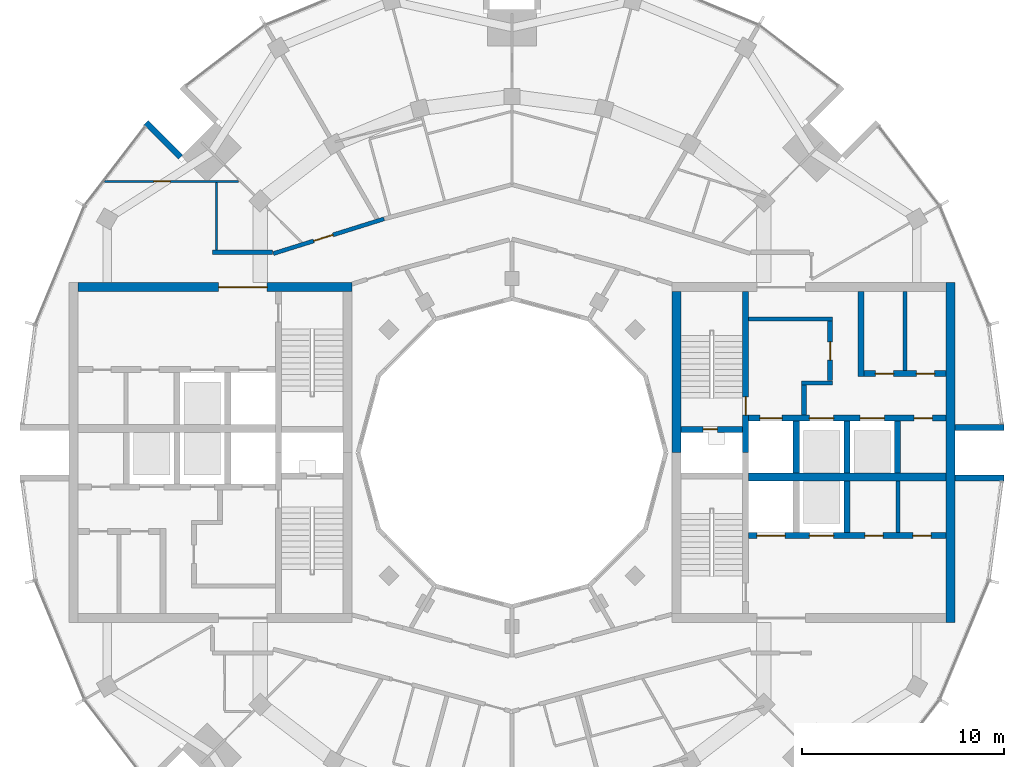
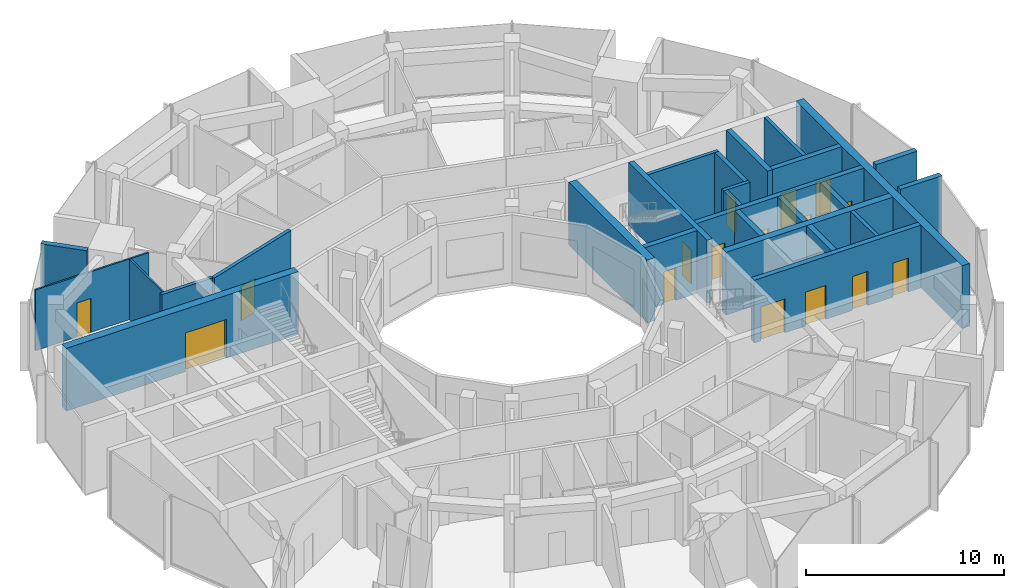
# One storey, part 11 of 15: 27 walls, 16 doors, 16 openings.
"""IFC4 building model written with IfcOpenShell, lengths in metres."""

from ifc_helpers import new_model, si_unit, direction, frame, frame_2d, origin, place, context, subcontext, project, spatial, rectangle, extrude, material, layer, layer_set, type_object, element, fill, save


model = new_model("IFC4")

# Units and contexts
model_context = context("Model", 3, precision=1e-05, world=origin(), true_north=direction((0.0, 1.0)))
body_context = subcontext(model_context, "Body", "Model", "MODEL_VIEW")
ifc_project = project(units=[si_unit("LENGTHUNIT", "METRE"), si_unit("AREAUNIT", "SQUARE_METRE"), si_unit("VOLUMEUNIT", "CUBIC_METRE"), si_unit("PLANEANGLEUNIT", "RADIAN"), si_unit("MASSUNIT", "GRAM", prefix="KILO")], contexts=[model_context])

# Site, building, storey
site_placement = place(None, origin())
site = spatial("IfcSite", under=ifc_project, at=site_placement, CompositionType="ELEMENT")
building_placement = place(site_placement, origin())
building = spatial("IfcBuilding", under=site, at=building_placement, Name="Torre Brocal", CompositionType="ELEMENT")
storey_placement = place(building_placement, frame((0.0, 0.0, 279.89990234375)))
storey = spatial("IfcBuildingStorey", under=building, at=storey_placement, Name="L64", CompositionType="ELEMENT", Elevation=279.89990234375)

# Walls
ifc_material_1 = material(Name="Masonry block", Category="masonry")
ifc_layer_1 = layer(ifc_material_1, 0.199951171875)
ifc_layer_set_1 = layer_set([ifc_layer_1], Name="Masonry block")
wall_type_1 = type_object("IfcWallType", Name="CORE PARTITION 200", PredefinedType="PARTITIONING", material=ifc_layer_set_1)
wall_1_placement = place(storey_placement, frame((99.074951171875, 71.050048828125, 0.0), z_axis=(0.0, 0.0, 1.0), x_axis=(0.0, 1.0, 0.0)))
element("IfcWall", 1, at=wall_1_placement, inside=storey, type_object=wall_type_1, Name="Wall CP200", PredefinedType="PARTITIONING", context=body_context, shape_type="SweptSolid", body=[
    extrude(rectangle(XDim=2.550048828125, YDim=0.199951171875, at=frame_2d((1.27490234375, 0.0))), origin(), (0.0, 0.0, 1.0), 3.880126953125),
])
wall_2_placement = place(storey_placement, frame((99.425048828125, 79.050048828125, 0.0), z_axis=(0.0, 0.0, 1.0), x_axis=(0.0, 1.0, 0.0)))
element("IfcWall", 2, at=wall_2_placement, inside=storey, type_object=wall_type_1, Name="Wall CP200", PredefinedType="PARTITIONING", context=body_context, shape_type="SweptSolid", body=[
    extrude(rectangle(XDim=3.89990234375, YDim=0.199951171875, at=frame_2d((1.949951171875, 0.0))), origin(), (0.0, 0.0, 1.0), 3.880126953125),
])
ifc_material_2 = material(Name="Concrete C50", Category="concrete")
ifc_layer_2 = layer(ifc_material_2, 0.199951171875)
ifc_layer_set_2 = layer_set([ifc_layer_2], Name="Concrete C50")
wall_type_2 = type_object("IfcWallType", Name="CORE WALL 200 C50", PredefinedType="SHEAR", material=ifc_layer_set_2)
wall_3_placement = place(storey_placement, frame((91.699951171875, 81.60009765625, 0.0), z_axis=(0.0, 0.0, 1.0), x_axis=(1.0, 0.0, 0.0)))
element("IfcWall", 3, at=wall_3_placement, inside=storey, type_object=wall_type_2, Name="Wall CW200-50", PredefinedType="SHEAR", context=body_context, shape_type="SweptSolid", body=[
    extrude(rectangle(XDim=4.150146484375, YDim=0.199951171875, at=frame_2d((2.0751953125, 0.0))), origin(), (0.0, 0.0, 1.0), 3.880126953125),
])
wall_4_placement = place(storey_placement, frame((94.300048828125, 78.449951171875, 0.0), z_axis=(0.0, 0.0, 1.0), x_axis=(1.0, 0.0, 0.0)))
element("IfcWall", 4, at=wall_4_placement, inside=storey, type_object=wall_type_2, Name="Wall CW200-50", PredefinedType="SHEAR", context=body_context, shape_type="SweptSolid", body=[
    extrude(rectangle(XDim=1.550048828125, YDim=0.199951171875, at=frame_2d((0.77490234375, 0.0))), origin(), (0.0, 0.0, 1.0), 3.880126953125),
])

# Wall, opening, door
ifc_material_3 = material(Name="Concrete C50", Category="concrete")
ifc_layer_3 = layer(ifc_material_3, 0.25)
ifc_layer_set_3 = layer_set([ifc_layer_3], Name="Concrete C50")
wall_type_3 = type_object("IfcWallType", Name="CORE WALL 250 C50", PredefinedType="SHEAR", material=ifc_layer_set_3)
wall_5_placement = place(storey_placement, frame((95.72509765625, 78.550048828125, 0.0), z_axis=(0.0, 0.0, 1.0), x_axis=(0.0, 1.0, 0.0)))
wall_5 = element("IfcWall", 5, at=wall_5_placement, inside=storey, type_object=wall_type_3, Name="Wall CW250-50", PredefinedType="SHEAR", context=body_context, shape_type="SweptSolid", body=[
    extrude(rectangle(XDim=2.949951171875, YDim=0.25, at=frame_2d((1.47509765625, 0.0))), origin(), (0.0, 0.0, 1.0), 3.880126953125),
])
opening_1_placement = place(wall_5_placement, frame((1.02490234375, 0.0, 0.0)))
opening_1 = element("IfcOpeningElement", 6, at=opening_1_placement, cuts=wall_5, Name="Opening E-D26", PredefinedType="OPENING", context=body_context, shape_type="SweptSolid", body=[
    extrude(rectangle(XDim=0.89990234375, YDim=2.10009765625, at=frame_2d((0.449951171875, 1.050048828125))), frame((0.0, 0.135009765625, 0.0), z_axis=(0.0, -1.0, 0.0), x_axis=(1.0, 0.0, 0.0)), (0.0, 0.0, 1.0), 0.27001953125),
])
ifc_material_4 = material(Name="Steel A653", Category="steel")
door_type_1 = type_object("IfcDoorType", Name="LOBBY DOOR FD120 900X2100", OperationType="SINGLE_SWING_RIGHT", PredefinedType="DOOR", material=ifc_material_4)
door_1_placement = place(opening_1_placement, origin())
door_1 = element("IfcDoor", 7, at=door_1_placement, inside=storey, type_object=door_type_1, Name="Door E-D26", OperationType="SINGLE_SWING_LEFT", OverallHeight=2.10009765625, OverallWidth=0.89990234375, PredefinedType="DOOR", context=body_context, shape_type="SweptSolid", body=[
    extrude(rectangle(XDim=0.89990234375, YDim=2.10009765625, at=frame_2d((0.449951171875, 1.050048828125))), frame((0.0, 0.02490234375, 0.0), z_axis=(0.0, -1.0, 0.0), x_axis=(1.0, 0.0, 0.0)), (0.0, 0.0, 1.0), 0.050048828125),
])
fill(opening_1, door_1)

# Wall
wall_6_placement = place(storey_placement, frame((94.425048828125, 76.85009765625, 0.0), z_axis=(0.0, 0.0, 1.0), x_axis=(0.0, 1.0, 0.0)))
element("IfcWall", 8, at=wall_6_placement, inside=storey, type_object=wall_type_3, Name="Wall CW250-50", PredefinedType="SHEAR", context=body_context, shape_type="SweptSolid", body=[
    extrude(rectangle(XDim=1.5, YDim=0.25, at=frame_2d((0.75, 0.0))), origin(), (0.0, 0.0, 1.0), 3.880126953125),
])

# Wall, opening, door
ifc_material_5 = material(Name="Concrete C50", Category="concrete")
ifc_layer_4 = layer(ifc_material_5, 0.300048828125)
ifc_layer_set_4 = layer_set([ifc_layer_4], Name="Concrete C50")
wall_type_4 = type_object("IfcWallType", Name="CORE WALL 300 C50", PredefinedType="SHEAR", material=ifc_layer_set_4)
wall_7_placement = place(storey_placement, frame((91.550048828125, 75.0, 0.0), z_axis=(0.0, 0.0, 1.0), x_axis=(0.0, 1.0, 0.0)))
wall_7 = element("IfcWall", 9, at=wall_7_placement, inside=storey, type_object=wall_type_4, Name="Wall CW300-50", PredefinedType="SHEAR", context=body_context, shape_type="SweptSolid", body=[
    extrude(rectangle(XDim=7.949951171875, YDim=0.300048828125, at=frame_2d((3.97509765625, 0.0))), origin(), (0.0, 0.0, 1.0), 3.880126953125),
])
opening_2_placement = place(wall_7_placement, frame((1.85009765625, 0.0, 0.0)))
opening_2 = element("IfcOpeningElement", 10, at=opening_2_placement, cuts=wall_7, Name="Opening E-D02", PredefinedType="OPENING", context=body_context, shape_type="SweptSolid", body=[
    extrude(rectangle(XDim=0.89990234375, YDim=2.10009765625, at=frame_2d((0.449951171875, 1.050048828125))), frame((0.0, 0.159912109375, 0.0), z_axis=(0.0, -1.0, 0.0), x_axis=(1.0, 0.0, 0.0)), (0.0, 0.0, 1.0), 0.320068359375),
])
ifc_material_6 = material(Name="Steel A653", Category="steel")
door_type_2 = type_object("IfcDoorType", Name="STAIR DOOR FD120 900X2100", OperationType="SINGLE_SWING_RIGHT", PredefinedType="DOOR", material=ifc_material_6)
door_2_placement = place(opening_2_placement, origin())
door_2 = element("IfcDoor", 11, at=door_2_placement, inside=storey, type_object=door_type_2, Name="Door E-D02", OperationType="SINGLE_SWING_LEFT", OverallHeight=2.10009765625, OverallWidth=0.89990234375, PredefinedType="DOOR", context=body_context, shape_type="SweptSolid", body=[
    extrude(rectangle(XDim=0.89990234375, YDim=2.10009765625, at=frame_2d((0.449951171875, 1.050048828125))), frame((0.0, 0.02490234375, 0.0), z_axis=(0.0, -1.0, 0.0), x_axis=(1.0, 0.0, 0.0)), (0.0, 0.0, 1.0), 0.050048828125),
])
fill(opening_2, door_2)

wall_8_placement = place(storey_placement, frame((88.35009765625, 76.14990234375, 0.0), z_axis=(0.0, 0.0, 1.0), x_axis=(1.0, 0.0, 0.0)))
wall_8 = element("IfcWall", 12, at=wall_8_placement, inside=storey, type_object=wall_type_4, Name="Wall CW300-50", PredefinedType="SHEAR", context=body_context, shape_type="SweptSolid", body=[
    extrude(rectangle(XDim=3.0498046875, YDim=0.300048828125, at=frame_2d((1.52490234375, 0.0))), origin(), (0.0, 0.0, 1.0), 3.880126953125),
])
opening_3_placement = place(wall_8_placement, frame((1.10009765625, 0.0, 0.0)))
opening_3 = element("IfcOpeningElement", 13, at=opening_3_placement, cuts=wall_8, Name="Opening E-D01", PredefinedType="OPENING", context=body_context, shape_type="SweptSolid", body=[
    extrude(rectangle(XDim=0.699951171875, YDim=2.0, at=frame_2d((0.35009765625, 1.0))), frame((0.0, 0.159912109375, 0.0), z_axis=(0.0, -1.0, 0.0), x_axis=(1.0, 0.0, 0.0)), (0.0, 0.0, 1.0), 0.320068359375),
])
ifc_material_7 = material(Name="Steel A653", Category="steel")
door_type_3 = type_object("IfcDoorType", Name="RISER DOOR FD120 700X2000", OperationType="SINGLE_SWING_LEFT", PredefinedType="DOOR", material=ifc_material_7)
door_3_placement = place(opening_3_placement, frame((0.699951171875, 0.0, 0.0), z_axis=(0.0, 0.0, 1.0), x_axis=(-1.0, 0.0, 0.0)))
door_3 = element("IfcDoor", 14, at=door_3_placement, inside=storey, type_object=door_type_3, Name="Door E-D01", OperationType="SINGLE_SWING_RIGHT", OverallHeight=2.0, OverallWidth=0.699951171875, PredefinedType="DOOR", context=body_context, shape_type="SweptSolid", body=[
    extrude(rectangle(XDim=0.699951171875, YDim=2.0, at=frame_2d((0.35009765625, 1.0))), frame((0.0, 0.02490234375, 0.0), z_axis=(0.0, -1.0, 0.0), x_axis=(1.0, 0.0, 0.0)), (0.0, 0.0, 1.0), 0.050048828125),
])
fill(opening_3, door_3)

# Wall, openings, doors
wall_9_placement = place(storey_placement, frame((91.699951171875, 76.699951171875, 0.0), z_axis=(0.0, 0.0, 1.0), x_axis=(1.0, 0.0, 0.0)))
wall_9 = element("IfcWall", 15, at=wall_9_placement, inside=storey, type_object=wall_type_4, Name="Wall CW300-50", PredefinedType="SHEAR", context=body_context, shape_type="SweptSolid", body=[
    extrude(rectangle(XDim=9.75, YDim=0.300048828125, at=frame_2d((4.875, 0.0))), origin(), (0.0, 0.0, 1.0), 3.880126953125),
])
opening_4_placement = place(wall_9_placement, frame((0.550048828125, 0.0, 0.0)))
opening_4 = element("IfcOpeningElement", 16, at=opening_4_placement, cuts=wall_9, Name="Opening LD", PredefinedType="OPENING", context=body_context, shape_type="SweptSolid", body=[
    extrude(rectangle(XDim=1.10009765625, YDim=2.10009765625, at=frame_2d((0.550048828125, 1.050048828125))), frame((0.0, 0.159912109375, 0.0), z_axis=(0.0, -1.0, 0.0), x_axis=(1.0, 0.0, 0.0)), (0.0, 0.0, 1.0), 0.320068359375),
])
opening_5_placement = place(wall_9_placement, frame((3.0, 0.0, 0.0)))
opening_5 = element("IfcOpeningElement", 17, at=opening_5_placement, cuts=wall_9, Name="Opening LD12", PredefinedType="OPENING", context=body_context, shape_type="SweptSolid", body=[
    extrude(rectangle(XDim=1.199951171875, YDim=2.10009765625, at=frame_2d((0.60009765625, 1.050048828125))), frame((0.0, 0.159912109375, 0.0), z_axis=(0.0, -1.0, 0.0), x_axis=(1.0, 0.0, 0.0)), (0.0, 0.0, 1.0), 0.320068359375),
])
opening_6_placement = place(wall_9_placement, frame((5.5, 0.0, 0.0)))
opening_6 = element("IfcOpeningElement", 18, at=opening_6_placement, cuts=wall_9, Name="Opening LD12", PredefinedType="OPENING", context=body_context, shape_type="SweptSolid", body=[
    extrude(rectangle(XDim=1.199951171875, YDim=2.10009765625, at=frame_2d((0.60009765625, 1.050048828125))), frame((0.0, 0.159912109375, 0.0), z_axis=(0.0, -1.0, 0.0), x_axis=(1.0, 0.0, 0.0)), (0.0, 0.0, 1.0), 0.320068359375),
])
opening_7_placement = place(wall_9_placement, frame((8.175048828125, 0.0, 0.0)))
opening_7 = element("IfcOpeningElement", 19, at=opening_7_placement, cuts=wall_9, Name="Opening E-D04", PredefinedType="OPENING", context=body_context, shape_type="SweptSolid", body=[
    extrude(rectangle(XDim=0.89990234375, YDim=2.10009765625, at=frame_2d((0.449951171875, 1.050048828125))), frame((0.0, 0.159912109375, 0.0), z_axis=(0.0, -1.0, 0.0), x_axis=(1.0, 0.0, 0.0)), (0.0, 0.0, 1.0), 0.320068359375),
])
ifc_material_8 = material(Name="Stainless steel AISI 316", Category="steel")
door_type_4 = type_object("IfcDoorType", Name="LIFT LANDING DOOR 1100X2100", OperationType="DOUBLE_DOOR_SLIDING", PredefinedType="DOOR", material=ifc_material_8)
door_4_placement = place(opening_4_placement, origin())
door_4 = element("IfcDoor", 20, at=door_4_placement, inside=storey, type_object=door_type_4, Name="Door LD", OperationType="DOUBLE_DOOR_SLIDING", OverallHeight=2.10009765625, OverallWidth=1.10009765625, PredefinedType="DOOR", context=body_context, shape_type="SweptSolid", body=[
    extrude(rectangle(XDim=1.10009765625, YDim=2.10009765625, at=frame_2d((0.550048828125, 1.050048828125))), frame((0.0, 0.02490234375, 0.0), z_axis=(0.0, -1.0, 0.0), x_axis=(1.0, 0.0, 0.0)), (0.0, 0.0, 1.0), 0.050048828125),
])
fill(opening_4, door_4)
ifc_material_9 = material(Name="Stainless steel AISI 316", Category="steel")
door_type_5 = type_object("IfcDoorType", Name="LIFT LANDING DOOR 1200X2100", OperationType="DOUBLE_DOOR_SLIDING", PredefinedType="DOOR", material=ifc_material_9)
door_5_placement = place(opening_5_placement, origin())
door_5 = element("IfcDoor", 21, at=door_5_placement, inside=storey, type_object=door_type_5, Name="Door LD12", OperationType="DOUBLE_DOOR_SLIDING", OverallHeight=2.10009765625, OverallWidth=1.199951171875, PredefinedType="DOOR", context=body_context, shape_type="SweptSolid", body=[
    extrude(rectangle(XDim=1.199951171875, YDim=2.10009765625, at=frame_2d((0.60009765625, 1.050048828125))), frame((0.0, 0.02490234375, 0.0), z_axis=(0.0, -1.0, 0.0), x_axis=(1.0, 0.0, 0.0)), (0.0, 0.0, 1.0), 0.050048828125),
])
fill(opening_5, door_5)
door_6_placement = place(opening_6_placement, origin())
door_6 = element("IfcDoor", 22, at=door_6_placement, inside=storey, type_object=door_type_5, Name="Door LD12", OperationType="DOUBLE_DOOR_SLIDING", OverallHeight=2.10009765625, OverallWidth=1.199951171875, PredefinedType="DOOR", context=body_context, shape_type="SweptSolid", body=[
    extrude(rectangle(XDim=1.199951171875, YDim=2.10009765625, at=frame_2d((0.60009765625, 1.050048828125))), frame((0.0, 0.02490234375, 0.0), z_axis=(0.0, -1.0, 0.0), x_axis=(1.0, 0.0, 0.0)), (0.0, 0.0, 1.0), 0.050048828125),
])
fill(opening_6, door_6)
ifc_material_10 = material(Name="Steel A653", Category="steel")
door_type_6 = type_object("IfcDoorType", Name="ROOM DOOR FD30S 900X2100", OperationType="SINGLE_SWING_LEFT", PredefinedType="DOOR", material=ifc_material_10)
door_7_placement = place(opening_7_placement, frame((0.89990234375, 0.0, 0.0), z_axis=(0.0, 0.0, 1.0), x_axis=(-1.0, 0.0, 0.0)))
door_7 = element("IfcDoor", 23, at=door_7_placement, inside=storey, type_object=door_type_6, Name="Door E-D04", OperationType="SINGLE_SWING_LEFT", OverallHeight=2.10009765625, OverallWidth=0.89990234375, PredefinedType="DOOR", context=body_context, shape_type="SweptSolid", body=[
    extrude(rectangle(XDim=0.89990234375, YDim=2.10009765625, at=frame_2d((0.449951171875, 1.050048828125))), frame((0.0, 0.02490234375, 0.0), z_axis=(0.0, -1.0, 0.0), x_axis=(1.0, 0.0, 0.0)), (0.0, 0.0, 1.0), 0.050048828125),
])
fill(opening_7, door_7)

wall_10_placement = place(storey_placement, frame((91.699951171875, 70.89990234375, 0.0), z_axis=(0.0, 0.0, 1.0), x_axis=(1.0, 0.0, 0.0)))
wall_10 = element("IfcWall", 24, at=wall_10_placement, inside=storey, type_object=wall_type_4, Name="Wall CW300-50", PredefinedType="SHEAR", context=body_context, shape_type="SweptSolid", body=[
    extrude(rectangle(XDim=9.75, YDim=0.300048828125, at=frame_2d((4.875, 0.0))), origin(), (0.0, 0.0, 1.0), 3.880126953125),
])
opening_8_placement = place(wall_10_placement, frame((0.39990234375, 0.0, 0.0)))
opening_8 = element("IfcOpeningElement", 25, at=opening_8_placement, cuts=wall_10, Name="Opening LD14", PredefinedType="OPENING", context=body_context, shape_type="SweptSolid", body=[
    extrude(rectangle(XDim=1.39990234375, YDim=2.10009765625, at=frame_2d((0.699951171875, 1.050048828125))), frame((0.0, 0.159912109375, 0.0), z_axis=(0.0, -1.0, 0.0), x_axis=(1.0, 0.0, 0.0)), (0.0, 0.0, 1.0), 0.320068359375),
])
opening_9_placement = place(wall_10_placement, frame((3.0, 0.0, 0.0)))
opening_9 = element("IfcOpeningElement", 26, at=opening_9_placement, cuts=wall_10, Name="Opening LD12", PredefinedType="OPENING", context=body_context, shape_type="SweptSolid", body=[
    extrude(rectangle(XDim=1.199951171875, YDim=2.10009765625, at=frame_2d((0.60009765625, 1.050048828125))), frame((0.0, 0.159912109375, 0.0), z_axis=(0.0, -1.0, 0.0), x_axis=(1.0, 0.0, 0.0)), (0.0, 0.0, 1.0), 0.320068359375),
])
opening_10_placement = place(wall_10_placement, frame((5.737548828125, 0.0, 0.0)))
opening_10 = element("IfcOpeningElement", 27, at=opening_10_placement, cuts=wall_10, Name="Opening E-D05", PredefinedType="OPENING", context=body_context, shape_type="SweptSolid", body=[
    extrude(rectangle(XDim=0.89990234375, YDim=2.10009765625, at=frame_2d((0.449951171875, 1.050048828125))), frame((0.0, 0.159912109375, 0.0), z_axis=(0.0, -1.0, 0.0), x_axis=(1.0, 0.0, 0.0)), (0.0, 0.0, 1.0), 0.320068359375),
])
opening_11_placement = place(wall_10_placement, frame((8.112548828125, 0.0, 0.0)))
opening_11 = element("IfcOpeningElement", 28, at=opening_11_placement, cuts=wall_10, Name="Opening E-D06", PredefinedType="OPENING", context=body_context, shape_type="SweptSolid", body=[
    extrude(rectangle(XDim=0.89990234375, YDim=2.10009765625, at=frame_2d((0.449951171875, 1.050048828125))), frame((0.0, 0.159912109375, 0.0), z_axis=(0.0, -1.0, 0.0), x_axis=(1.0, 0.0, 0.0)), (0.0, 0.0, 1.0), 0.320068359375),
])
door_8_placement = place(opening_9_placement, origin())
door_8 = element("IfcDoor", 29, at=door_8_placement, inside=storey, type_object=door_type_5, Name="Door LD12", OperationType="DOUBLE_DOOR_SLIDING", OverallHeight=2.10009765625, OverallWidth=1.199951171875, PredefinedType="DOOR", context=body_context, shape_type="SweptSolid", body=[
    extrude(rectangle(XDim=1.199951171875, YDim=2.10009765625, at=frame_2d((0.60009765625, 1.050048828125))), frame((0.0, 0.02490234375, 0.0), z_axis=(0.0, -1.0, 0.0), x_axis=(1.0, 0.0, 0.0)), (0.0, 0.0, 1.0), 0.050048828125),
])
fill(opening_9, door_8)
ifc_material_11 = material(Name="Stainless steel AISI 316", Category="steel")
door_type_7 = type_object("IfcDoorType", Name="LIFT LANDING DOOR 1400X2100", OperationType="DOUBLE_DOOR_SLIDING", PredefinedType="DOOR", material=ifc_material_11)
door_9_placement = place(opening_8_placement, origin())
door_9 = element("IfcDoor", 30, at=door_9_placement, inside=storey, type_object=door_type_7, Name="Door LD14", OperationType="DOUBLE_DOOR_SLIDING", OverallHeight=2.10009765625, OverallWidth=1.39990234375, PredefinedType="DOOR", context=body_context, shape_type="SweptSolid", body=[
    extrude(rectangle(XDim=1.39990234375, YDim=2.10009765625, at=frame_2d((0.699951171875, 1.050048828125))), frame((0.0, 0.02490234375, 0.0), z_axis=(0.0, -1.0, 0.0), x_axis=(1.0, 0.0, 0.0)), (0.0, 0.0, 1.0), 0.050048828125),
])
fill(opening_8, door_9)
door_10_placement = place(opening_10_placement, origin())
door_10 = element("IfcDoor", 31, at=door_10_placement, inside=storey, type_object=door_type_6, Name="Door E-D05", OperationType="SINGLE_SWING_RIGHT", OverallHeight=2.10009765625, OverallWidth=0.89990234375, PredefinedType="DOOR", context=body_context, shape_type="SweptSolid", body=[
    extrude(rectangle(XDim=0.89990234375, YDim=2.10009765625, at=frame_2d((0.449951171875, 1.050048828125))), frame((0.0, 0.02490234375, 0.0), z_axis=(0.0, -1.0, 0.0), x_axis=(1.0, 0.0, 0.0)), (0.0, 0.0, 1.0), 0.050048828125),
])
fill(opening_10, door_10)
door_11_placement = place(opening_11_placement, origin())
door_11 = element("IfcDoor", 32, at=door_11_placement, inside=storey, type_object=door_type_6, Name="Door E-D06", OperationType="SINGLE_SWING_LEFT", OverallHeight=2.10009765625, OverallWidth=0.89990234375, PredefinedType="DOOR", context=body_context, shape_type="SweptSolid", body=[
    extrude(rectangle(XDim=0.89990234375, YDim=2.10009765625, at=frame_2d((0.449951171875, 1.050048828125))), frame((0.0, 0.02490234375, 0.0), z_axis=(0.0, -1.0, 0.0), x_axis=(1.0, 0.0, 0.0)), (0.0, 0.0, 1.0), 0.050048828125),
])
fill(opening_11, door_11)

# Walls
for number, where, z_axis, x_axis, name in (
    (33, (94.050048828125, 74.0, 0.0), (0.0, 0.0, 1.0), (0.0, 1.0, 0.0), "Wall CW300-50"),
    (34, (96.550048828125, 74.0, 0.0), (0.0, 0.0, 1.0), (0.0, 1.0, 0.0), "Wall CW300-50"),
    (35, (99.050048828125, 74.0, 0.0), (0.0, 0.0, 1.0), (0.0, 1.0, 0.0), "Wall CW300-50"),
    (36, (96.550048828125, 71.050048828125, 0.0), (0.0, 0.0, 1.0), (0.0, 1.0, 0.0), "Wall CW300-50"),
):
    element("IfcWall", number, at=place(storey_placement, frame(where, z_axis=z_axis, x_axis=x_axis)), inside=storey, type_object=wall_type_4, Name=name, PredefinedType="SHEAR", context=body_context, shape_type="SweptSolid", body=[
        extrude(rectangle(XDim=2.550048828125, YDim=0.300048828125, at=frame_2d((1.27490234375, 0.0))), origin(), (0.0, 0.0, 1.0), 3.880126953125),
    ])
wall_11_placement = place(storey_placement, frame((97.25, 78.75, 0.0), z_axis=(0.0, 0.0, 1.0), x_axis=(0.0, 1.0, 0.0)))
element("IfcWall", 37, at=wall_11_placement, inside=storey, type_object=wall_type_4, Name="Wall CW300-50", PredefinedType="SHEAR", context=body_context, shape_type="SweptSolid", body=[
    extrude(rectangle(XDim=4.199951171875, YDim=0.300048828125, at=frame_2d((2.10009765625, 0.0))), origin(), (0.0, 0.0, 1.0), 3.880126953125),
])

# Wall, openings, doors
wall_12_placement = place(storey_placement, frame((97.39990234375, 78.89990234375, 0.0), z_axis=(0.0, 0.0, 1.0), x_axis=(1.0, 0.0, 0.0)))
wall_12 = element("IfcWall", 38, at=wall_12_placement, inside=storey, type_object=wall_type_4, Name="Wall CW300-50", PredefinedType="SHEAR", context=body_context, shape_type="SweptSolid", body=[
    extrude(rectangle(XDim=4.050048828125, YDim=0.300048828125, at=frame_2d((2.02490234375, 0.0))), origin(), (0.0, 0.0, 1.0), 3.880126953125),
])
opening_12_placement = place(wall_12_placement, frame((0.5625, 0.0, 0.0)))
opening_12 = element("IfcOpeningElement", 39, at=opening_12_placement, cuts=wall_12, Name="Opening E-D28", PredefinedType="OPENING", context=body_context, shape_type="SweptSolid", body=[
    extrude(rectangle(XDim=0.89990234375, YDim=2.10009765625, at=frame_2d((0.449951171875, 1.050048828125))), frame((0.0, 0.159912109375, 0.0), z_axis=(0.0, -1.0, 0.0), x_axis=(1.0, 0.0, 0.0)), (0.0, 0.0, 1.0), 0.320068359375),
])
opening_13_placement = place(wall_12_placement, frame((2.58740234375, 0.0, 0.0)))
opening_13 = element("IfcOpeningElement", 40, at=opening_13_placement, cuts=wall_12, Name="Opening E-D09", PredefinedType="OPENING", context=body_context, shape_type="SweptSolid", body=[
    extrude(rectangle(XDim=0.89990234375, YDim=2.10009765625, at=frame_2d((0.449951171875, 1.050048828125))), frame((0.0, 0.159912109375, 0.0), z_axis=(0.0, -1.0, 0.0), x_axis=(1.0, 0.0, 0.0)), (0.0, 0.0, 1.0), 0.320068359375),
])
door_12_placement = place(opening_12_placement, origin())
door_12 = element("IfcDoor", 41, at=door_12_placement, inside=storey, type_object=door_type_6, Name="Door E-D28", OperationType="SINGLE_SWING_RIGHT", OverallHeight=2.10009765625, OverallWidth=0.89990234375, PredefinedType="DOOR", context=body_context, shape_type="SweptSolid", body=[
    extrude(rectangle(XDim=0.89990234375, YDim=2.10009765625, at=frame_2d((0.449951171875, 1.050048828125))), frame((0.0, 0.02490234375, 0.0), z_axis=(0.0, -1.0, 0.0), x_axis=(1.0, 0.0, 0.0)), (0.0, 0.0, 1.0), 0.050048828125),
])
fill(opening_12, door_12)
door_13_placement = place(opening_13_placement, origin())
door_13 = element("IfcDoor", 42, at=door_13_placement, inside=storey, type_object=door_type_6, Name="Door E-D09", OperationType="SINGLE_SWING_LEFT", OverallHeight=2.10009765625, OverallWidth=0.89990234375, PredefinedType="DOOR", context=body_context, shape_type="SweptSolid", body=[
    extrude(rectangle(XDim=0.89990234375, YDim=2.10009765625, at=frame_2d((0.449951171875, 1.050048828125))), frame((0.0, 0.02490234375, 0.0), z_axis=(0.0, -1.0, 0.0), x_axis=(1.0, 0.0, 0.0)), (0.0, 0.0, 1.0), 0.050048828125),
])
fill(opening_13, door_13)

# Walls
ifc_material_12 = material(Name="Concrete C50", Category="concrete")
ifc_layer_5 = layer(ifc_material_12, 0.39990234375)
ifc_layer_set_5 = layer_set([ifc_layer_5], Name="Concrete C50")
wall_type_5 = type_object("IfcWallType", Name="CORE WALL 400 C50", PredefinedType="SHEAR", material=ifc_layer_set_5)
wall_13_placement = place(storey_placement, frame((91.699951171875, 73.800048828125, 0.0), z_axis=(0.0, 0.0, 1.0), x_axis=(1.0, 0.0, 0.0)))
element("IfcWall", 43, at=wall_13_placement, inside=storey, type_object=wall_type_5, Name="Wall CW400-50", PredefinedType="SHEAR", context=body_context, shape_type="SweptSolid", body=[
    extrude(rectangle(XDim=9.75, YDim=0.39990234375, at=frame_2d((4.875, 0.0))), origin(), (0.0, 0.0, 1.0), 3.880126953125),
])
ifc_material_13 = material(Name="Concrete C50", Category="concrete")
ifc_layer_6 = layer(ifc_material_13, 0.449951171875)
ifc_layer_set_6 = layer_set([ifc_layer_6], Name="Concrete C50")
wall_type_6 = type_object("IfcWallType", Name="CORE WALL 450 C50", PredefinedType="SHEAR", material=ifc_layer_set_6)
wall_14_placement = place(storey_placement, frame((88.125, 75.0, 0.0), z_axis=(0.0, 0.0, 1.0), x_axis=(0.0, 1.0, 0.0)))
element("IfcWall", 44, at=wall_14_placement, inside=storey, type_object=wall_type_6, Name="Wall CW450-50", PredefinedType="SHEAR", context=body_context, shape_type="SweptSolid", body=[
    extrude(rectangle(XDim=7.949951171875, YDim=0.449951171875, at=frame_2d((3.97509765625, 0.0))), origin(), (0.0, 0.0, 1.0), 3.880126953125),
])
wall_15_placement = place(storey_placement, frame((101.675048828125, 66.60009765625, 0.0), z_axis=(0.0, 0.0, 1.0), x_axis=(0.0, 1.0, 0.0)))
element("IfcWall", 45, at=wall_15_placement, inside=storey, type_object=wall_type_6, Name="Wall CW450-50", PredefinedType="SHEAR", context=body_context, shape_type="SweptSolid", body=[
    extrude(rectangle(XDim=16.7998046875, YDim=0.449951171875, at=frame_2d((8.39990234375, 0.0))), origin(), (0.0, 0.0, 1.0), 3.880126953125),
])

# Wall, opening, door
wall_16_placement = place(storey_placement, frame((72.10009765625, 83.175048828125, 0.0), z_axis=(0.0, 0.0, 1.0), x_axis=(-1.0, 0.0, 0.0)))
wall_16 = element("IfcWall", 46, at=wall_16_placement, inside=storey, type_object=wall_type_6, Name="Wall CW450-50", PredefinedType="SHEAR", context=body_context, shape_type="SweptSolid", body=[
    extrude(rectangle(XDim=13.550048828125, YDim=0.449951171875, at=frame_2d((6.77490234375, 0.0))), origin(), (0.0, 0.0, 1.0), 3.880126953125),
])
opening_14_placement = place(wall_16_placement, frame((4.199951171875, 0.0, 0.0)))
opening_14 = element("IfcOpeningElement", 47, at=opening_14_placement, cuts=wall_16, Name="Opening W-D34", PredefinedType="OPENING", context=body_context, shape_type="SweptSolid", body=[
    extrude(rectangle(XDim=2.39990234375, YDim=2.39990234375, at=frame_2d((1.199951171875, 1.199951171875))), frame((0.0, 0.23486328125, 0.0), z_axis=(0.0, -1.0, 0.0), x_axis=(1.0, 0.0, 0.0)), (0.0, 0.0, 1.0), 0.469970703125),
])
ifc_material_14 = material(Name="Steel A653", Category="steel")
door_type_8 = type_object("IfcDoorType", Name="DOUBLE FIRE DOOR FD90 2400X2400", OperationType="DOUBLE_DOOR_SINGLE_SWING", PredefinedType="DOOR", material=ifc_material_14)
door_14_placement = place(opening_14_placement, origin())
door_14 = element("IfcDoor", 48, at=door_14_placement, inside=storey, type_object=door_type_8, Name="Door W-D34", OperationType="DOUBLE_DOOR_SINGLE_SWING", OverallHeight=2.39990234375, OverallWidth=2.39990234375, PredefinedType="DOOR", context=body_context, shape_type="SweptSolid", body=[
    extrude(rectangle(XDim=2.39990234375, YDim=2.39990234375, at=frame_2d((1.199951171875, 1.199951171875))), frame((0.0, 0.02490234375, 0.0), z_axis=(0.0, -1.0, 0.0), x_axis=(1.0, 0.0, 0.0)), (0.0, 0.0, 1.0), 0.050048828125),
])
fill(opening_14, door_14)

# Walls
ifc_material_15 = material(Name="Concrete C50", Category="concrete")
ifc_layer_7 = layer(ifc_material_15, 0.300048828125)
ifc_layer_set_7 = layer_set([ifc_layer_7], Name="Concrete C50")
wall_type_7 = type_object("IfcWallType", Name="NOTCH RETURN WALL 300 C50", PredefinedType="NOTDEFINED", material=ifc_layer_set_7)
for number, where, z_axis, x_axis, name in (
    (49, (101.89990234375, 73.75, 0.0), (0.0, 0.0, 1.0), (1.0, 0.0, 0.0), "NOTCH RETURN WALL"),
    (50, (101.89990234375, 76.25, 0.0), (0.0, 0.0, 1.0), (1.0, 0.0, 0.0), "NOTCH RETURN WALL"),
):
    element("IfcWall", number, at=place(storey_placement, frame(where, z_axis=z_axis, x_axis=x_axis)), inside=storey, type_object=wall_type_7, Name=name, PredefinedType="NOTDEFINED", context=body_context, shape_type="SweptSolid", body=[
        extrude(rectangle(XDim=2.415771484375, YDim=0.300048828125, at=frame_2d((1.2080078125, 0.0))), origin(), (0.0, 0.0, 1.0), 4.2001953125),
    ])
wall_17_placement = place(storey_placement, frame((63.63037109375, 89.601806640625, 0.0), z_axis=(0.0, 0.0, 1.0), x_axis=(-0.707106781187, 0.707106781187, 0.0)))
element("IfcWall", 51, at=wall_17_placement, inside=storey, type_object=wall_type_7, Name="NOTCH RETURN WALL", PredefinedType="NOTDEFINED", context=body_context, shape_type="SweptSolid", body=[
    extrude(rectangle(XDim=2.41552734375, YDim=0.300048828125, at=frame_2d((1.207763671875, 0.0))), origin(), (0.0, 0.0, 1.0), 4.2001953125),
])

# Wall, opening, door
ifc_material_16 = material(Name="Gypsum board", Category="Gypsum")
ifc_layer_8 = layer(ifc_material_16, 0.10009765625)
ifc_layer_set_8 = layer_set([ifc_layer_8], Name="Gypsum board")
wall_type_8 = type_object("IfcWallType", Name="PARTITION 100", PredefinedType="PARTITIONING", material=ifc_layer_set_8)
wall_18_placement = place(storey_placement, frame((59.8701171875, 88.39990234375, 0.0), z_axis=(0.0, 0.0, 1.0), x_axis=(1.0, 0.0, 0.0)))
wall_18 = element("IfcWall", 52, at=wall_18_placement, inside=storey, type_object=wall_type_8, Name="BATHROOM WALL", PredefinedType="PARTITIONING", context=body_context, shape_type="SweptSolid", body=[
    extrude(rectangle(XDim=6.619873046875, YDim=0.10009765625, at=frame_2d((3.31005859375, 0.0))), origin(), (0.0, 0.0, 1.0), 3.75),
])
opening_15_placement = place(wall_18_placement, frame((2.429931640625, 0.0, 0.0)))
opening_15 = element("IfcOpeningElement", 53, at=opening_15_placement, cuts=wall_18, Name="Opening N01-D16", PredefinedType="OPENING", context=body_context, shape_type="SweptSolid", body=[
    extrude(rectangle(XDim=0.800048828125, YDim=2.10009765625, at=frame_2d((0.39990234375, 1.050048828125))), frame((0.0, 0.06005859375, 0.0), z_axis=(0.0, -1.0, 0.0), x_axis=(1.0, 0.0, 0.0)), (0.0, 0.0, 1.0), 0.1201171875),
])
ifc_material_17 = material(Name="Timber", Category="wood")
door_type_9 = type_object("IfcDoorType", Name="BATHROOM DOOR 800X2100", OperationType="SINGLE_SWING_LEFT", PredefinedType="DOOR", material=ifc_material_17)
door_15_placement = place(opening_15_placement, frame((0.800048828125, 0.0, 0.0), z_axis=(0.0, 0.0, 1.0), x_axis=(-1.0, 0.0, 0.0)))
door_15 = element("IfcDoor", 54, at=door_15_placement, inside=storey, type_object=door_type_9, Name="N01-D16", OperationType="SINGLE_SWING_LEFT", OverallHeight=2.10009765625, OverallWidth=0.800048828125, PredefinedType="DOOR", context=body_context, shape_type="SweptSolid", body=[
    extrude(rectangle(XDim=0.800048828125, YDim=2.10009765625, at=frame_2d((0.39990234375, 1.050048828125))), frame((0.0, 0.02490234375, 0.0), z_axis=(0.0, -1.0, 0.0), x_axis=(1.0, 0.0, 0.0)), (0.0, 0.0, 1.0), 0.050048828125),
])
fill(opening_15, door_15)

# Walls
wall_19_placement = place(storey_placement, frame((65.39990234375, 85.0, 0.0), z_axis=(0.0, 0.0, 1.0), x_axis=(0.0, 1.0, 0.0)))
element("IfcWall", 55, at=wall_19_placement, inside=storey, type_object=wall_type_8, Name="BATHROOM WALL", PredefinedType="PARTITIONING", context=body_context, shape_type="SweptSolid", body=[
    extrude(rectangle(XDim=3.35009765625, YDim=0.10009765625, at=frame_2d((1.675048828125, 0.0))), origin(), (0.0, 0.0, 1.0), 3.75),
])
ifc_material_18 = material(Name="Gypsum board", Category="Gypsum")
ifc_layer_9 = layer(ifc_material_18, 0.199951171875)
ifc_layer_set_9 = layer_set([ifc_layer_9], Name="Gypsum board")
wall_type_9 = type_object("IfcWallType", Name="PARTITION 200 EI60", PredefinedType="PARTITIONING", material=ifc_layer_set_9)
wall_20_placement = place(storey_placement, frame((65.199951171875, 84.89990234375, 0.0), z_axis=(0.0, 0.0, 1.0), x_axis=(1.0, 0.0, 0.0)))
element("IfcWall", 56, at=wall_20_placement, inside=storey, type_object=wall_type_9, Name="CORRIDOR WALL", PredefinedType="PARTITIONING", context=body_context, shape_type="SweptSolid", body=[
    extrude(rectangle(XDim=2.969970703125, YDim=0.199951171875, at=frame_2d((1.48486328125, 0.0))), origin(), (0.0, 0.0, 1.0), 3.75),
])

# Wall, opening, door
wall_21_placement = place(storey_placement, frame((68.199951171875, 84.833251953125, 0.0), z_axis=(0.0, 0.0, 1.0), x_axis=(0.954191968402, 0.299195065863, 0.0)))
wall_21 = element("IfcWall", 57, at=wall_21_placement, inside=storey, type_object=wall_type_9, Name="FLAT ENTRANCE WALL", PredefinedType="PARTITIONING", context=body_context, shape_type="SweptSolid", body=[
    extrude(rectangle(XDim=5.740478515625, YDim=0.199951171875, at=frame_2d((2.8701171875, 0.0))), origin(), (0.0, 0.0, 1.0), 3.75),
])
opening_16_placement = place(wall_21_placement, frame((2.096923828125, 0.0, 0.0)))
opening_16 = element("IfcOpeningElement", 58, at=opening_16_placement, cuts=wall_21, Name="Opening N01-D14", PredefinedType="OPENING", context=body_context, shape_type="SweptSolid", body=[
    extrude(rectangle(XDim=1.0, YDim=2.10009765625, at=frame_2d((0.5, 1.050048828125))), frame((0.0, 0.10986328125, 0.0), z_axis=(0.0, -1.0, 0.0), x_axis=(1.0, 0.0, 0.0)), (0.0, 0.0, 1.0), 0.219970703125),
])
ifc_material_19 = material(Name="Timber", Category="wood")
door_type_10 = type_object("IfcDoorType", Name="FLAT ENTRY DOOR FD30S 1000X2100", OperationType="SINGLE_SWING_RIGHT", PredefinedType="DOOR", material=ifc_material_19)
door_16_placement = place(opening_16_placement, origin())
door_16 = element("IfcDoor", 59, at=door_16_placement, inside=storey, type_object=door_type_10, Name="N01-D14", OperationType="SINGLE_SWING_LEFT", OverallHeight=2.10009765625, OverallWidth=1.0, PredefinedType="DOOR", context=body_context, shape_type="SweptSolid", body=[
    extrude(rectangle(XDim=1.0, YDim=2.10009765625, at=frame_2d((0.5, 1.050048828125))), frame((0.0, 0.02490234375, 0.0), z_axis=(0.0, -1.0, 0.0), x_axis=(1.0, 0.0, 0.0)), (0.0, 0.0, 1.0), 0.050048828125),
])
fill(opening_16, door_16)

save(model, "model.ifc")
